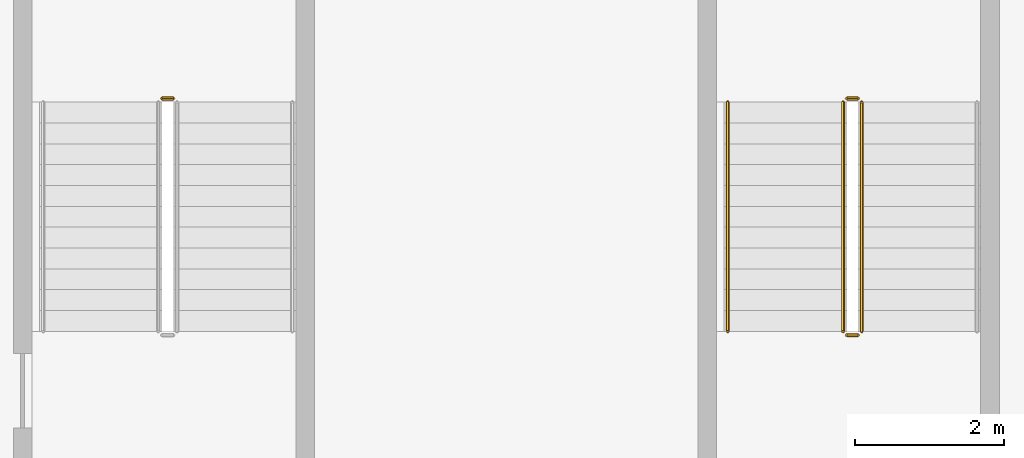
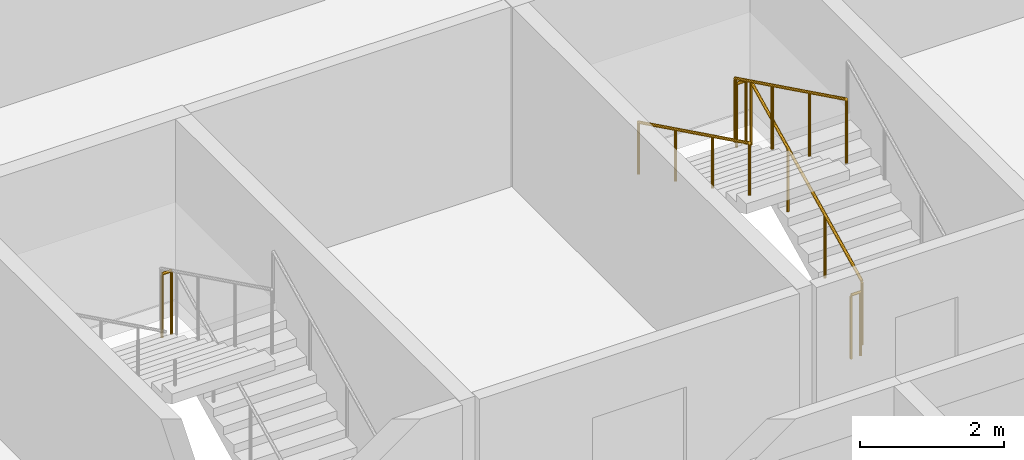
# One storey, part 9 of 18: 6 railings.
"""IFC4 building model written with IfcOpenShell, lengths in metres."""

from ifc_helpers import new_model, si_unit, direction, frame, origin, origin_2d, place, context, subcontext, project, spatial, circle, extrude, material, type_object, element, save


model = new_model("IFC4")

# Units and contexts
model_context = context("Model", 3, precision=1e-05, world=origin(), true_north=direction((0.0, 1.0)))
body_context = subcontext(model_context, "Body", "Model", "MODEL_VIEW")
ifc_project = project(units=[si_unit("LENGTHUNIT", "METRE"), si_unit("AREAUNIT", "SQUARE_METRE"), si_unit("VOLUMEUNIT", "CUBIC_METRE"), si_unit("PLANEANGLEUNIT", "RADIAN"), si_unit("MASSUNIT", "GRAM", prefix="KILO")], contexts=[model_context])

# Site, building, storey
site_placement = place(None, origin())
site = spatial("IfcSite", under=ifc_project, at=site_placement, CompositionType="ELEMENT")
building_placement = place(site_placement, origin())
building = spatial("IfcBuilding", under=site, at=building_placement, Name="Poui Terraces", CompositionType="ELEMENT")
storey_placement = place(building_placement, frame((0.0, 0.0, 272.39990234375)))
storey = spatial("IfcBuildingStorey", under=building, at=storey_placement, Name="L75 CROWN", CompositionType="ELEMENT", Elevation=272.39990234375)

# Railings
ifc_material_1 = material(Name="Galvanised steel balustrade", Category="steel")
railing_type_1 = type_object("IfcRailingType", Name="STAIR GUARD 1100", PredefinedType="GUARDRAIL", material=ifc_material_1)
railing_1_placement = place(storey_placement, frame((32.074951171875, 16.60009765625, 0.1376953125)))
element("IfcRailing", 1, at=railing_1_placement, inside=storey, type_object=railing_type_1, Name="L75 CROWN ST-CW stair guard 1", PredefinedType="GUARDRAIL", context=body_context, shape_type="SweptSolid", body=[
    extrude(circle(Radius=0.02392578125, at=origin_2d()), frame((0.0, 0.0, 1.076171875), z_axis=(0.0, 0.897606190399, 0.440798283751), x_axis=(-1.0, 0.0, 0.0)), (0.0, 0.0, 1.0), 3.43115234375),
    extrude(circle(Radius=0.02099609375, at=origin_2d()), origin(), (0.0, 0.0, 1.0), 1.052001953125),
    extrude(circle(Radius=0.02099609375, at=origin_2d()), frame((0.0, 1.026611328125, 0.504150390625)), (0.0, 0.0, 1.0), 1.052001953125),
    extrude(circle(Radius=0.02099609375, at=origin_2d()), frame((0.0, 2.05322265625, 1.00830078125)), (0.0, 0.0, 1.0), 1.052001953125),
    extrude(circle(Radius=0.02099609375, at=origin_2d()), frame((0.0, 3.079833984375, 1.512451171875)), (0.0, 0.0, 1.0), 1.052001953125),
])
railing_2_placement = place(storey_placement, frame((32.02490234375, 19.72998046875, 1.650146484375)))
element("IfcRailing", 2, at=railing_2_placement, inside=storey, type_object=railing_type_1, Name="L75 CROWN ST-CW stair guard 2", PredefinedType="GUARDRAIL", context=body_context, shape_type="SweptSolid", body=[
    extrude(circle(Radius=0.02392578125, at=origin_2d()), frame((0.0, 0.0, 1.076171875), z_axis=(-1.0, 0.0, 0.0), x_axis=(0.0, -1.0, 0.0)), (0.0, 0.0, 1.0), 0.14990234375),
    extrude(circle(Radius=0.02099609375, at=origin_2d()), origin(), (0.0, 0.0, 1.0), 1.052001953125),
    extrude(circle(Radius=0.02099609375, at=origin_2d()), frame((-0.14990234375, 0.0, 0.0)), (0.0, 0.0, 1.0), 1.052001953125),
])
railing_3_placement = place(storey_placement, frame((31.824951171875, 19.679931640625, 1.78759765625)))
element("IfcRailing", 3, at=railing_3_placement, inside=storey, type_object=railing_type_1, Name="L75 CROWN ST-CW stair guard 3", PredefinedType="GUARDRAIL", context=body_context, shape_type="SweptSolid", body=[
    extrude(circle(Radius=0.02392578125, at=origin_2d()), frame((0.0, 0.0, 1.076171875), z_axis=(0.0, -0.897606190399, 0.440798283751), x_axis=(1.0, 0.0, 0.0)), (0.0, 0.0, 1.0), 3.43115234375),
    extrude(circle(Radius=0.02099609375, at=origin_2d()), origin(), (0.0, 0.0, 1.0), 1.052001953125),
    extrude(circle(Radius=0.02099609375, at=origin_2d()), frame((0.0, -1.026611328125, 0.504150390625)), (0.0, 0.0, 1.0), 1.052001953125),
    extrude(circle(Radius=0.02099609375, at=origin_2d()), frame((0.0, -2.05322265625, 1.00830078125)), (0.0, 0.0, 1.0), 1.052001953125),
    extrude(circle(Radius=0.02099609375, at=origin_2d()), frame((0.0, -3.079833984375, 1.512451171875)), (0.0, 0.0, 1.0), 1.052001953125),
])
for number, where, name in (
    (4, (32.02490234375, 16.550048828125, 0.0), "L75 CROWN ST-CW stair guard 4"),
    (5, (22.824951171875, 19.72998046875, 1.650146484375), "L75 CROWN ST-W stair guard 2"),
):
    element("IfcRailing", number, at=place(storey_placement, frame(where)), inside=storey, type_object=railing_type_1, Name=name, PredefinedType="GUARDRAIL", context=body_context, shape_type="SweptSolid", body=[
        extrude(circle(Radius=0.02392578125, at=origin_2d()), frame((0.0, 0.0, 1.076171875), z_axis=(-1.0, 0.0, 0.0), x_axis=(0.0, -1.0, 0.0)), (0.0, 0.0, 1.0), 0.14990234375),
        extrude(circle(Radius=0.02099609375, at=origin_2d()), origin(), (0.0, 0.0, 1.0), 1.052001953125),
        extrude(circle(Radius=0.02099609375, at=origin_2d()), frame((-0.14990234375, 0.0, 0.0)), (0.0, 0.0, 1.0), 1.052001953125),
    ])
ifc_material_2 = material(Name="Stainless steel handrail", Category="steel")
railing_type_2 = type_object("IfcRailingType", Name="STAIR HANDRAIL 900", PredefinedType="HANDRAIL", material=ifc_material_2)
railing_4_placement = place(storey_placement, frame((30.27490234375, 19.679931640625, 1.78759765625)))
element("IfcRailing", 6, at=railing_4_placement, inside=storey, type_object=railing_type_2, Name="L75 CROWN ST-CW stair handrail 2", PredefinedType="HANDRAIL", context=body_context, shape_type="SweptSolid", body=[
    extrude(circle(Radius=0.02392578125, at=origin_2d()), frame((0.0, 0.0, 0.8759765625), z_axis=(0.0, -0.897606190399, 0.440798283751), x_axis=(1.0, 0.0, 0.0)), (0.0, 0.0, 1.0), 3.43115234375),
    extrude(circle(Radius=0.02099609375, at=origin_2d()), origin(), (0.0, 0.0, 1.0), 0.851806640625),
    extrude(circle(Radius=0.02099609375, at=origin_2d()), frame((0.0, -1.026611328125, 0.504150390625)), (0.0, 0.0, 1.0), 0.851806640625),
    extrude(circle(Radius=0.02099609375, at=origin_2d()), frame((0.0, -2.05322265625, 1.00830078125)), (0.0, 0.0, 1.0), 0.851806640625),
    extrude(circle(Radius=0.02099609375, at=origin_2d()), frame((0.0, -3.079833984375, 1.512451171875)), (0.0, 0.0, 1.0), 0.851806640625),
])

save(model, "model.ifc")
